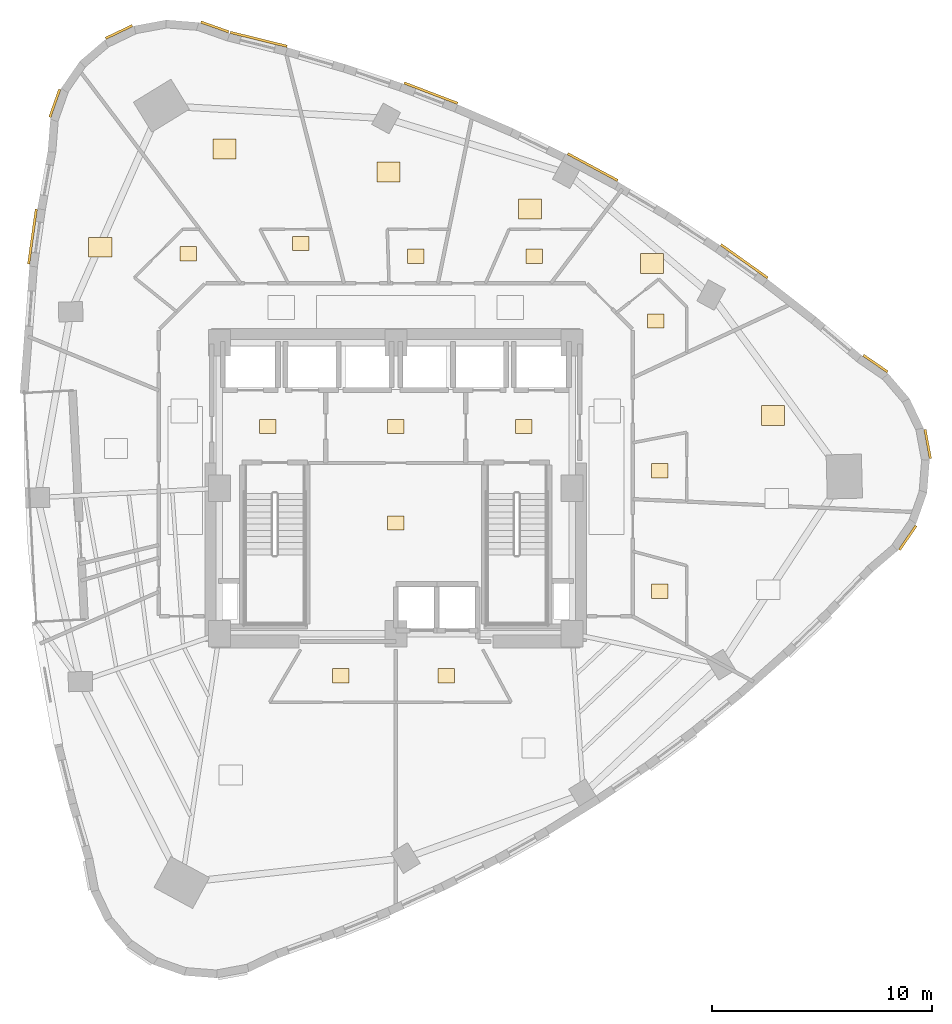
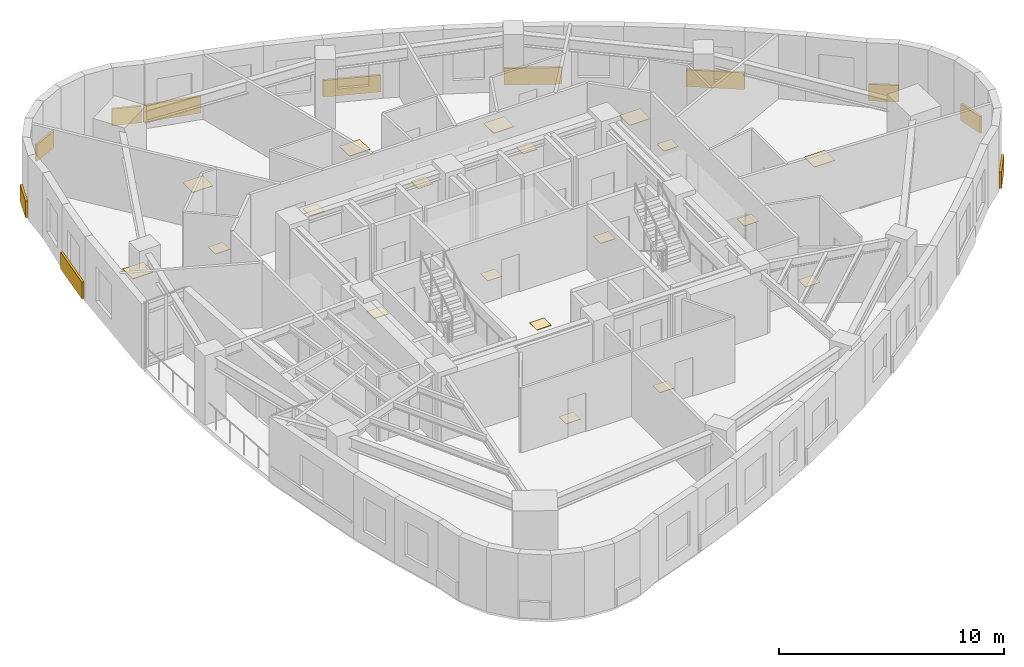
# One storey, part 12 of 12: 30 coverings.
"""IFC4 building model written with IfcOpenShell, lengths in metres."""

from ifc_helpers import new_model, si_unit, direction, frame, origin, origin_2d, place, context, subcontext, project, spatial, rectangle, extrude, material, layer, layer_set, type_object, element, save


model = new_model("IFC4")

# Units and contexts
model_context = context("Model", 3, precision=1e-05, world=origin(), true_north=direction((0.0, 1.0)))
body_context = subcontext(model_context, "Body", "Model", "MODEL_VIEW")
ifc_project = project(units=[si_unit("LENGTHUNIT", "METRE"), si_unit("AREAUNIT", "SQUARE_METRE"), si_unit("VOLUMEUNIT", "CUBIC_METRE"), si_unit("PLANEANGLEUNIT", "RADIAN"), si_unit("MASSUNIT", "GRAM", prefix="KILO")], contexts=[model_context])

# Site, building, storey
site_placement = place(None, origin())
site = spatial("IfcSite", under=ifc_project, at=site_placement, CompositionType="ELEMENT")
building_placement = place(site_placement, origin())
building = spatial("IfcBuilding", under=site, at=building_placement, Name="Ndelora Gate Hotel", CompositionType="ELEMENT")
storey_placement = place(building_placement, frame((0.0, 0.0, 131.0)))
storey = spatial("IfcBuildingStorey", under=building, at=storey_placement, Name="L32", CompositionType="ELEMENT", Elevation=131.0)

# Coverings
ifc_material_1 = material(Name="Terracotta Fired Clay Brick Slip Cladding", Category="masonry")
ifc_layer_1 = layer(ifc_material_1, 0.110107421875)
ifc_layer_set_1 = layer_set([ifc_layer_1], Name="Terracotta Fired Clay Brick Slip Cladding")
covering_type_1 = type_object("IfcCoveringType", Name="COV-CLAD-BRK", PredefinedType="CLADDING", material=ifc_layer_set_1)
for number, where, z_axis, x_axis, name in (
    (1, (-8.21044921875, 20.92626953125, 0.10009765625), (0.0, 0.0, 1.0), (-0.942641491092, 0.333806859234, 0.0), "L32 Rounded-Corner Brick Cladding Band 1"),
    (2, (-12.556884765625, 20.698486328125, 0.10009765625), (0.0, 0.0, 1.0), (0.90258528435, 0.430511096808, 0.0), "L32 Rounded-Corner Brick Cladding Band 4"),
    (3, (-15.468994140625, 17.464111328125, 0.10009765625), (0.0, 0.0, 1.0), (0.333806859234, 0.942641491092, 0.0), "L32 Rounded-Corner Brick Cladding Band 7"),
):
    element("IfcCovering", number, at=place(storey_placement, frame(where, z_axis=z_axis, x_axis=x_axis)), inside=storey, type_object=covering_type_1, Name=name, PredefinedType="CLADDING", context=body_context, shape_type="SweptSolid", body=[
        extrude(rectangle(XDim=1.3359375, YDim=0.110107421875, at=origin_2d()), origin(), (0.0, 0.0, 1.0), 0.89990234375),
    ])
covering_1_placement = place(storey_placement, frame((-16.48193359375, 11.41357421875, 0.10009765625), z_axis=(0.0, 0.0, 1.0), x_axis=(0.138654578758, 0.99034080386, 0.0)))
element("IfcCovering", 4, at=covering_1_placement, inside=storey, type_object=covering_type_1, Name="L32 Rounded-Corner Brick Cladding Band 10", PredefinedType="CLADDING", context=body_context, shape_type="SweptSolid", body=[
    extrude(rectangle(XDim=2.52001953125, YDim=0.110107421875, at=origin_2d()), origin(), (0.0, 0.0, 1.0), 0.89990234375),
])
for number, where, z_axis, x_axis, name in (
    (5, (23.22119140625, -2.24951171875, 0.10009765625), (0.0, 0.0, 1.0), (0.566406236925, 0.824126188622, 0.0), "L32 Rounded-Corner Brick Cladding Band 40"),
    (6, (24.126220703125, 2.0078125, 0.10009765625), (0.0, 0.0, 1.0), (-0.182235525492, 0.983254907564, 0.0), "L32 Rounded-Corner Brick Cladding Band 43"),
    (7, (21.755615234375, 5.65771484375, 0.10009765625), (0.0, 0.0, 1.0), (-0.824126188622, 0.566406236925, 0.0), "L32 Rounded-Corner Brick Cladding Band 46"),
):
    element("IfcCovering", number, at=place(storey_placement, frame(where, z_axis=z_axis, x_axis=x_axis)), inside=storey, type_object=covering_type_1, Name=name, PredefinedType="CLADDING", context=body_context, shape_type="SweptSolid", body=[
        extrude(rectangle(XDim=1.3359375, YDim=0.110107421875, at=origin_2d()), origin(), (0.0, 0.0, 1.0), 0.89990234375),
    ])
covering_2_placement = place(storey_placement, frame((15.8076171875, 10.294921875, 0.10009765625), z_axis=(0.0, 0.0, 1.0), x_axis=(-0.814520727071, 0.580134454392, 0.0)))
element("IfcCovering", 8, at=covering_2_placement, inside=storey, type_object=covering_type_1, Name="L32 Rounded-Corner Brick Cladding Band 49", PredefinedType="CLADDING", context=body_context, shape_type="SweptSolid", body=[
    extrude(rectangle(XDim=2.60791015625, YDim=0.110107421875, at=origin_2d()), origin(), (0.0, 0.0, 1.0), 0.89990234375),
])
covering_3_placement = place(storey_placement, frame((8.931640625, 14.568115234375, 0.10009765625), z_axis=(0.0, 0.0, 1.0), x_axis=(-0.881138447042, 0.472858369012, 0.0)))
element("IfcCovering", 9, at=covering_3_placement, inside=storey, type_object=covering_type_1, Name="L32 Rounded-Corner Brick Cladding Band 52", PredefinedType="CLADDING", context=body_context, shape_type="SweptSolid", body=[
    extrude(rectangle(XDim=2.580078125, YDim=0.110107421875, at=origin_2d()), origin(), (0.0, 0.0, 1.0), 0.89990234375),
])
covering_4_placement = place(storey_placement, frame((1.588623046875, 17.9248046875, 0.10009765625), z_axis=(0.0, 0.0, 1.0), x_axis=(-0.934017558691, 0.357227098715, 0.0)))
element("IfcCovering", 10, at=covering_4_placement, inside=storey, type_object=covering_type_1, Name="L32 Rounded-Corner Brick Cladding Band 55", PredefinedType="CLADDING", context=body_context, shape_type="SweptSolid", body=[
    extrude(rectangle(XDim=2.593994140625, YDim=0.110107421875, at=origin_2d()), origin(), (0.0, 0.0, 1.0), 0.89990234375),
])
covering_5_placement = place(storey_placement, frame((-6.22021484375, 20.3642578125, 0.10009765625), z_axis=(0.0, 0.0, 1.0), x_axis=(-0.970967515495, 0.239211379021, 0.0)))
element("IfcCovering", 11, at=covering_5_placement, inside=storey, type_object=covering_type_1, Name="L32 Rounded-Corner Brick Cladding Band 58", PredefinedType="CLADDING", context=body_context, shape_type="SweptSolid", body=[
    extrude(rectangle(XDim=2.65087890625, YDim=0.110107421875, at=origin_2d()), origin(), (0.0, 0.0, 1.0), 0.89990234375),
])
ifc_material_2 = material(Name="Engineered Highland Oak Parquet", Category="wood")
ifc_layer_2 = layer(ifc_material_2, 0.030029296875)
ifc_layer_set_2 = layer_set([ifc_layer_2], Name="Engineered Highland Oak Parquet")
covering_type_2 = type_object("IfcCoveringType", Name="COV-FLR-PARQ", PredefinedType="FLOORING", material=ifc_layer_set_2)
for number, where, z_axis, x_axis, name in (
    (12, (17.105224609375, 3.3017578125, 0.0), (0.0, 0.0, 1.0), (1.0, 0.0, 0.0), "L32 Club Superior Junior Suite 3504 Oak Parquet Flooring"),
    (13, (11.622802734375, 10.192626953125, 0.0), (0.0, 0.0, 1.0), (1.0, 0.0, 0.0), "L32 South Club Suite 3505 Oak Parquet Flooring"),
    (14, (6.093994140625, 12.674072265625, 0.0), (0.0, 0.0, 1.0), (1.0, 0.0, 0.0), "L32 Club King Guest Room 3506 Oak Parquet Flooring"),
    (15, (-0.337646484375, 14.3427734375, 0.0), (0.0, 0.0, 1.0), (1.0, 0.0, 0.0), "L32 Corner Club Suite 3507 Oak Parquet Flooring"),
    (16, (-7.763671875, 15.389892578125, 0.0), (0.0, 0.0, 1.0), (1.0, 0.0, 0.0), "L32 Club Twin Junior Suite 3508 Oak Parquet Flooring"),
    (17, (-13.40869140625, 10.92919921875, 0.0), (0.0, 0.0, 1.0), (1.0, 0.0, 0.0), "L32 Club Deluxe Guest Room 3509 Oak Parquet Flooring"),
):
    element("IfcCovering", number, at=place(storey_placement, frame(where, z_axis=z_axis, x_axis=x_axis)), inside=storey, type_object=covering_type_2, Name=name, PredefinedType="FLOORING", context=body_context, shape_type="SweptSolid", body=[
        extrude(rectangle(XDim=1.050048828125, YDim=0.89990234375, at=origin_2d()), origin(), (0.0, 0.0, 1.0), 0.030029296875),
    ])
ifc_material_3 = material(Name="Non-Slip Porcelain Wet-Room Tile", Category="ceramic")
ifc_layer_3 = layer(ifc_material_3, 0.02490234375)
ifc_layer_set_3 = layer_set([ifc_layer_3], Name="Non-Slip Porcelain Wet-Room Tile")
covering_type_3 = type_object("IfcCoveringType", Name="COV-FLR-TILE", PredefinedType="FLOORING", material=ifc_layer_set_3)
for number, where, z_axis, x_axis, name in (
    (18, (-5.800048828125, 2.800048828125, 0.0), (0.0, 0.0, 1.0), (1.0, 0.0, 0.0), "L32 Firefighting Lift Lobby West Porcelain Tile Flooring"),
    (19, (5.800048828125, 2.800048828125, 0.0), (0.0, 0.0, 1.0), (1.0, 0.0, 0.0), "L32 Firefighting Lift Lobby East Porcelain Tile Flooring"),
    (20, (0.0, 2.800048828125, 0.0), (0.0, 0.0, 1.0), (1.0, 0.0, 0.0), "L32 Central Passenger Lift Lobby Porcelain Tile Flooring"),
    (21, (0.0, -1.574951171875, 0.0), (0.0, 0.0, 1.0), (1.0, 0.0, 0.0), "L32 Core Electrical and Linen Service Store Porcelain Tile Flooring"),
    (22, (-2.507568359375, -8.510009765625, 0.0), (0.0, 0.0, 1.0), (1.0, 0.0, 0.0), "L32 En-suite Bathroom 3501 Porcelain Tile Flooring"),
    (23, (2.291748046875, -8.510009765625, 0.0), (0.0, 0.0, 1.0), (1.0, 0.0, 0.0), "L32 En-suite Bathroom 3502 Porcelain Tile Flooring"),
    (24, (11.97509765625, -4.665771484375, 0.0), (0.0, 0.0, 1.0), (1.0, 0.0, 0.0), "L32 En-suite Bathroom 3503 Porcelain Tile Flooring"),
    (25, (11.97509765625, 0.789306640625, 0.0), (0.0, 0.0, 1.0), (1.0, 0.0, 0.0), "L32 En-suite Bathroom 3504 Porcelain Tile Flooring"),
    (26, (11.7890625, 7.58837890625, 0.0), (0.0, 0.0, 1.0), (1.0, 0.0, 0.0), "L32 En-suite Bathroom 3505 Porcelain Tile Flooring"),
    (27, (6.282470703125, 10.52490234375, 0.0), (0.0, 0.0, 1.0), (1.0, 0.0, 0.0), "L32 En-suite Bathroom 3506 Porcelain Tile Flooring"),
    (28, (0.906494140625, 10.52490234375, 0.0), (0.0, 0.0, 1.0), (1.0, 0.0, 0.0), "L32 En-suite Bathroom 3507 Porcelain Tile Flooring"),
    (29, (-4.309326171875, 11.09912109375, 0.0), (0.0, 0.0, 1.0), (1.0, 0.0, 0.0), "L32 En-suite Bathroom 3508 Porcelain Tile Flooring"),
    (30, (-9.412109375, 10.635498046875, 0.0), (0.0, 0.0, 1.0), (1.0, 0.0, 0.0), "L32 En-suite Bathroom 3509 Porcelain Tile Flooring"),
):
    element("IfcCovering", number, at=place(storey_placement, frame(where, z_axis=z_axis, x_axis=x_axis)), inside=storey, type_object=covering_type_3, Name=name, PredefinedType="FLOORING", context=body_context, shape_type="SweptSolid", body=[
        extrude(rectangle(XDim=0.75, YDim=0.64990234375, at=origin_2d()), origin(), (0.0, 0.0, 1.0), 0.02490234375),
    ])

save(model, "model.ifc")
